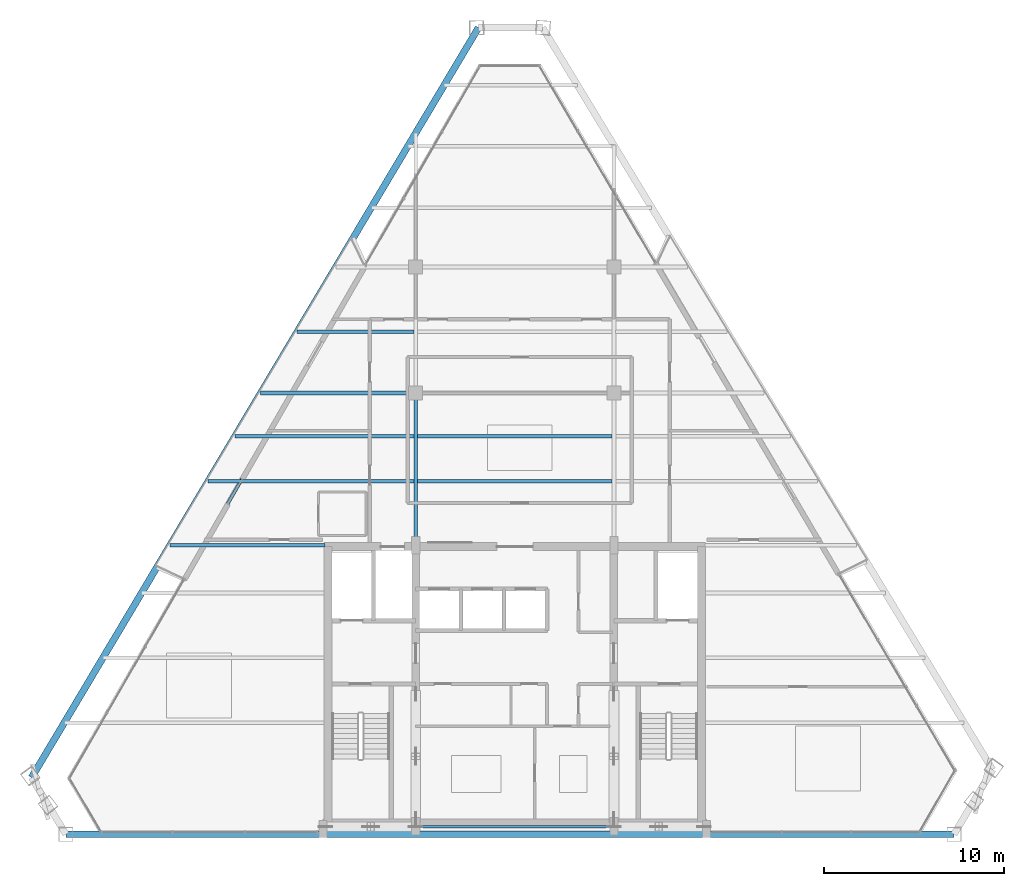
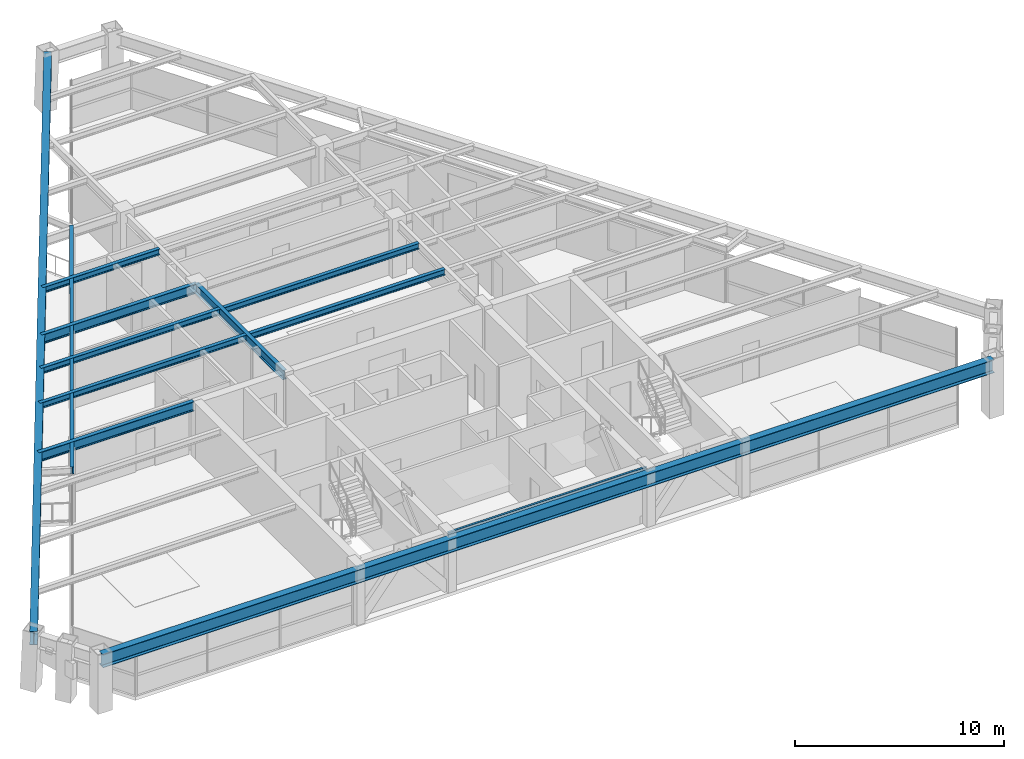
# One storey, part 3 of 13: 12 beams.
"""IFC4 building model written with IfcOpenShell, lengths in metres."""

from ifc_helpers import new_model, si_unit, direction, frame, origin, origin_2d, place, context, subcontext, project, spatial, i_section, extrude, source, transform, mapped, material, material_profile, profile_set, type_object, type_shapes, element, save


model = new_model("IFC4")

# Units and contexts
model_context = context("Model", 3, precision=1e-05, world=origin(), true_north=direction((0.0, 1.0)))
body_context = subcontext(model_context, "Body", "Model", "MODEL_VIEW")
ifc_project = project(units=[si_unit("LENGTHUNIT", "METRE"), si_unit("AREAUNIT", "SQUARE_METRE"), si_unit("VOLUMEUNIT", "CUBIC_METRE"), si_unit("PLANEANGLEUNIT", "RADIAN"), si_unit("MASSUNIT", "GRAM", prefix="KILO")], contexts=[model_context])

# Site, building, storey
site_placement = place(None, origin())
site = spatial("IfcSite", under=ifc_project, at=site_placement, CompositionType="ELEMENT")
building_placement = place(site_placement, origin())
building = spatial("IfcBuilding", under=site, at=building_placement, Name="Varnakhor Terracotta Tower", CompositionType="ELEMENT")
storey_placement = place(building_placement, frame((0.0, 0.0, 279.89990234375)))
storey = spatial("IfcBuildingStorey", under=building, at=storey_placement, Name="L73", CompositionType="ELEMENT", Elevation=279.89990234375)

# Beams
ifc_material = material(Name="Steel S355", Category="steel")
ifc_material_profile_1 = material_profile(ifc_material, i_section(OverallWidth=0.1201171875, OverallDepth=0.239990234375, WebThickness=0.006103515625, FlangeThickness=0.009765625, FilletRadius=0.01806640625, at=origin_2d()), Name="IPE240")
ifc_profile_set_1 = profile_set([ifc_material_profile_1], Name="Steel S355")
beam_type_1 = type_object("IfcBeamType", Name="LNT-IPE240", PredefinedType="LINTEL", material=ifc_profile_set_1)
shared_shape_1 = source(origin(), body_context, "Body", "SweptSolid", [
    extrude(i_section(OverallWidth=0.1201171875, OverallDepth=0.239990234375, WebThickness=0.006103515625, FlangeThickness=0.009765625, FilletRadius=0.01806640625, at=origin_2d()), origin(), (0.0, 0.0, 1.0), 11.0),
])
type_shapes(beam_type_1, [shared_shape_1])
beam_1_placement = place(storey_placement, frame((-5.5, 0.419921875, 3.1201171875), z_axis=(1.0, 0.0, 0.0), x_axis=(0.0, 1.0, 0.0)))
element("IfcBeam", 1, at=beam_1_placement, inside=storey, type_object=beam_type_1, Name="L73 Core South Coupling Lintel", PredefinedType="LINTEL", context=body_context, shape_type="MappedRepresentation", body=[
    mapped(shared_shape_1, transform((0.0, 0.0, 0.0), scale=1.0)),
])
ifc_material_profile_2 = material_profile(ifc_material, i_section(OverallWidth=0.214111328125, OverallDepth=0.549072265625, WebThickness=0.014892578125, FlangeThickness=0.02392578125, FilletRadius=0.01806640625, at=origin_2d()), Name="W21X93")
ifc_profile_set_2 = profile_set([ifc_material_profile_2], Name="Steel S355")
beam_type_2 = type_object("IfcBeamType", Name="BM-W21X93", PredefinedType="BEAM", material=ifc_profile_set_2)
shared_shape_2 = source(origin(), body_context, "Body", "SweptSolid", [
    extrude(i_section(OverallWidth=0.214111328125, OverallDepth=0.549072265625, WebThickness=0.014892578125, FlangeThickness=0.02392578125, FilletRadius=0.01806640625, at=origin_2d()), origin(), (0.0, 0.0, 1.0), 8.449951171875),
])
type_shapes(beam_type_2, [shared_shape_2])
beam_2_placement = place(storey_placement, frame((-5.5, 16.050048828125, 2.965576171875), z_axis=(0.0, 1.0, 0.0), x_axis=(-1.0, 0.0, 0.0)))
element("IfcBeam", 2, at=beam_2_placement, inside=storey, type_object=beam_type_2, Name="L73 Primary Girder NS1-W", PredefinedType="BEAM", context=body_context, shape_type="MappedRepresentation", body=[
    mapped(shared_shape_2, transform((0.0, 0.0, 0.0), scale=1.0)),
])
ifc_material_profile_3 = material_profile(ifc_material, i_section(OverallWidth=0.202880859375, OverallDepth=0.346923828125, WebThickness=0.0078125, FlangeThickness=0.013427734375, FilletRadius=0.01806640625, at=origin_2d()), Name="W14X43")
ifc_profile_set_3 = profile_set([ifc_material_profile_3], Name="Steel S355")
beam_type_3 = type_object("IfcBeamType", Name="JST-W14X43", PredefinedType="JOIST", material=ifc_profile_set_3)
shared_shape_3 = source(origin(), body_context, "Body", "SweptSolid", [
    extrude(i_section(OverallWidth=0.202880859375, OverallDepth=0.346923828125, WebThickness=0.0078125, FlangeThickness=0.013427734375, FilletRadius=0.01806640625, at=origin_2d()), origin(), (0.0, 0.0, 1.0), 10.7939453125),
])
for number, where, z_axis, x_axis, name in (
    (3, (-5.39697265625, 19.60009765625, 3.066650390625), (1.0, 0.0, 0.0), (0.0, 1.0, 0.0), "L73 Composite Floor Joist 4-2"),
    (4, (-5.39697265625, 22.10009765625, 3.066650390625), (1.0, 0.0, 0.0), (0.0, 1.0, 0.0), "L73 Composite Floor Joist 5-2"),
):
    element("IfcBeam", number, at=place(storey_placement, frame(where, z_axis=z_axis, x_axis=x_axis)), inside=storey, type_object=beam_type_3, Name=name, PredefinedType="JOIST", context=body_context, shape_type="MappedRepresentation", body=[
        mapped(shared_shape_3, transform((0.0, 0.0, 0.0), scale=1.0)),
    ])
ifc_material_profile_4 = material_profile(ifc_material, i_section(OverallWidth=0.381103515625, OverallDepth=0.77294921875, WebThickness=0.01708984375, FlangeThickness=0.027099609375, FilletRadius=0.01806640625, at=origin_2d()), Name="W30X173")
ifc_profile_set_4 = profile_set([ifc_material_profile_4], Name="Steel S355")
beam_type_4 = type_object("IfcBeamType", Name="BM-W30X173", PredefinedType="BEAM", material=ifc_profile_set_4)
shared_shape_4 = source(origin(), body_context, "Body", "SweptSolid", [
    extrude(i_section(OverallWidth=0.381103515625, OverallDepth=0.77294921875, WebThickness=0.01708984375, FlangeThickness=0.027099609375, FilletRadius=0.01806640625, at=origin_2d()), origin(), (0.0, 0.0, 1.0), 49.3115234375),
])
beam_3_placement = place(storey_placement, frame((-24.922607421875, 0.0, 2.853515625), z_axis=(1.0, 0.0, 0.0), x_axis=(0.0, 1.0, 0.0)))
element("IfcBeam", 5, at=beam_3_placement, inside=storey, type_object=beam_type_4, Name="L73 Perimeter Spandrel 1", PredefinedType="BEAM", context=body_context, shape_type="MappedRepresentation", body=[
    mapped(shared_shape_4, transform((0.0, 0.0, 0.0), scale=1.0)),
])
shared_shape_5 = source(origin(), body_context, "Body", "SweptSolid", [
    extrude(i_section(OverallWidth=0.381103515625, OverallDepth=0.77294921875, WebThickness=0.01708984375, FlangeThickness=0.027099609375, FilletRadius=0.01806640625, at=origin_2d()), origin(), (0.0, 0.0, 1.0), 48.47509765625),
])
beam_4_placement = place(storey_placement, frame((-2.015625, 44.78955078125, 2.853515625), z_axis=(-0.511947131901, -0.859016958004, 0.0), x_axis=(0.859016958004, -0.511947131901, 0.0)))
element("IfcBeam", 6, at=beam_4_placement, inside=storey, type_object=beam_type_4, Name="L73 Perimeter Spandrel 6", PredefinedType="BEAM", context=body_context, shape_type="MappedRepresentation", body=[
    mapped(shared_shape_5, transform((0.0, 0.0, 0.0), scale=1.0)),
])
ifc_material_profile_5 = material_profile(ifc_material, i_section(OverallWidth=0.179931640625, OverallDepth=0.39990234375, WebThickness=0.008544921875, FlangeThickness=0.013427734375, FilletRadius=0.01806640625, at=origin_2d()), Name="IPE400")
ifc_profile_set_5 = profile_set([ifc_material_profile_5], Name="Steel S355")
beam_type_5 = type_object("IfcBeamType", Name="JST-IPE400", PredefinedType="JOIST", material=ifc_profile_set_5)
shared_shape_6 = source(origin(), body_context, "Body", "SweptSolid", [
    extrude(i_section(OverallWidth=0.179931640625, OverallDepth=0.39990234375, WebThickness=0.008544921875, FlangeThickness=0.013427734375, FilletRadius=0.01806640625, at=origin_2d()), origin(), (0.0, 0.0, 1.0), 20.1904296875),
])
beam_5_placement = place(storey_placement, frame((-8.290771484375, 31.638427734375, 3.0400390625), z_axis=(-0.499006273731, -0.866598372244, 0.0), x_axis=(0.866598372244, -0.499006273731, 0.0)))
element("IfcBeam", 7, at=beam_5_placement, inside=storey, type_object=beam_type_5, Name="L73 Loggia Edge Beam 2", PredefinedType="JOIST", context=body_context, shape_type="MappedRepresentation", body=[
    mapped(shared_shape_6, transform((0.0, 0.0, 0.0), scale=1.0)),
])
shared_shape_7 = source(origin(), body_context, "Body", "SweptSolid", [
    extrude(i_section(OverallWidth=0.214111328125, OverallDepth=0.549072265625, WebThickness=0.014892578125, FlangeThickness=0.02392578125, FilletRadius=0.01806640625, at=origin_2d()), origin(), (0.0, 0.0, 1.0), 8.593505859375),
])
beam_6_placement = place(storey_placement, frame((-19.1435546875, 16.050048828125, 2.965576171875), z_axis=(1.0, 0.0, 0.0), x_axis=(0.0, 1.0, 0.0)))
element("IfcBeam", 8, at=beam_6_placement, inside=storey, type_object=beam_type_2, Name="L73 Wing Girder W", PredefinedType="BEAM", context=body_context, shape_type="MappedRepresentation", body=[
    mapped(shared_shape_7, transform((0.0, 0.0, 0.0), scale=1.0)),
])
shared_shape_8 = source(origin(), body_context, "Body", "SweptSolid", [
    extrude(i_section(OverallWidth=0.214111328125, OverallDepth=0.549072265625, WebThickness=0.014892578125, FlangeThickness=0.02392578125, FilletRadius=0.01806640625, at=origin_2d()), origin(), (0.0, 0.0, 1.0), 8.607666015625),
])
beam_7_placement = place(storey_placement, frame((-14.107666015625, 24.5, 2.965576171875), z_axis=(1.0, 0.0, 0.0), x_axis=(0.0, 1.0, 0.0)))
element("IfcBeam", 9, at=beam_7_placement, inside=storey, type_object=beam_type_2, Name="L73 Primary Girder EW2-1", PredefinedType="BEAM", context=body_context, shape_type="MappedRepresentation", body=[
    mapped(shared_shape_8, transform((0.0, 0.0, 0.0), scale=1.0)),
])
shared_shape_9 = source(origin(), body_context, "Body", "SweptSolid", [
    extrude(i_section(OverallWidth=0.202880859375, OverallDepth=0.346923828125, WebThickness=0.0078125, FlangeThickness=0.013427734375, FilletRadius=0.01806640625, at=origin_2d()), origin(), (0.0, 0.0, 1.0), 11.4248046875),
])
beam_8_placement = place(storey_placement, frame((-17.02783203125, 19.60009765625, 3.066650390625), z_axis=(1.0, 0.0, 0.0), x_axis=(0.0, 1.0, 0.0)))
element("IfcBeam", 10, at=beam_8_placement, inside=storey, type_object=beam_type_3, Name="L73 Composite Floor Joist 4-1", PredefinedType="JOIST", context=body_context, shape_type="MappedRepresentation", body=[
    mapped(shared_shape_9, transform((0.0, 0.0, 0.0), scale=1.0)),
])
shared_shape_10 = source(origin(), body_context, "Body", "SweptSolid", [
    extrude(i_section(OverallWidth=0.202880859375, OverallDepth=0.346923828125, WebThickness=0.0078125, FlangeThickness=0.013427734375, FilletRadius=0.01806640625, at=origin_2d()), origin(), (0.0, 0.0, 1.0), 9.934814453125),
])
beam_9_placement = place(storey_placement, frame((-15.537841796875, 22.10009765625, 3.066650390625), z_axis=(1.0, 0.0, 0.0), x_axis=(0.0, 1.0, 0.0)))
element("IfcBeam", 11, at=beam_9_placement, inside=storey, type_object=beam_type_3, Name="L73 Composite Floor Joist 5-1", PredefinedType="JOIST", context=body_context, shape_type="MappedRepresentation", body=[
    mapped(shared_shape_10, transform((0.0, 0.0, 0.0), scale=1.0)),
])
shared_shape_11 = source(origin(), body_context, "Body", "SweptSolid", [
    extrude(i_section(OverallWidth=0.202880859375, OverallDepth=0.346923828125, WebThickness=0.0078125, FlangeThickness=0.013427734375, FilletRadius=0.01806640625, at=origin_2d()), origin(), (0.0, 0.0, 1.0), 6.478271484375),
])
beam_10_placement = place(storey_placement, frame((-12.081298828125, 27.89990234375, 3.066650390625), z_axis=(1.0, 0.0, 0.0), x_axis=(0.0, 1.0, 0.0)))
element("IfcBeam", 12, at=beam_10_placement, inside=storey, type_object=beam_type_3, Name="L73 Composite Floor Joist 6-1", PredefinedType="JOIST", context=body_context, shape_type="MappedRepresentation", body=[
    mapped(shared_shape_11, transform((0.0, 0.0, 0.0), scale=1.0)),
])

save(model, "model.ifc")
